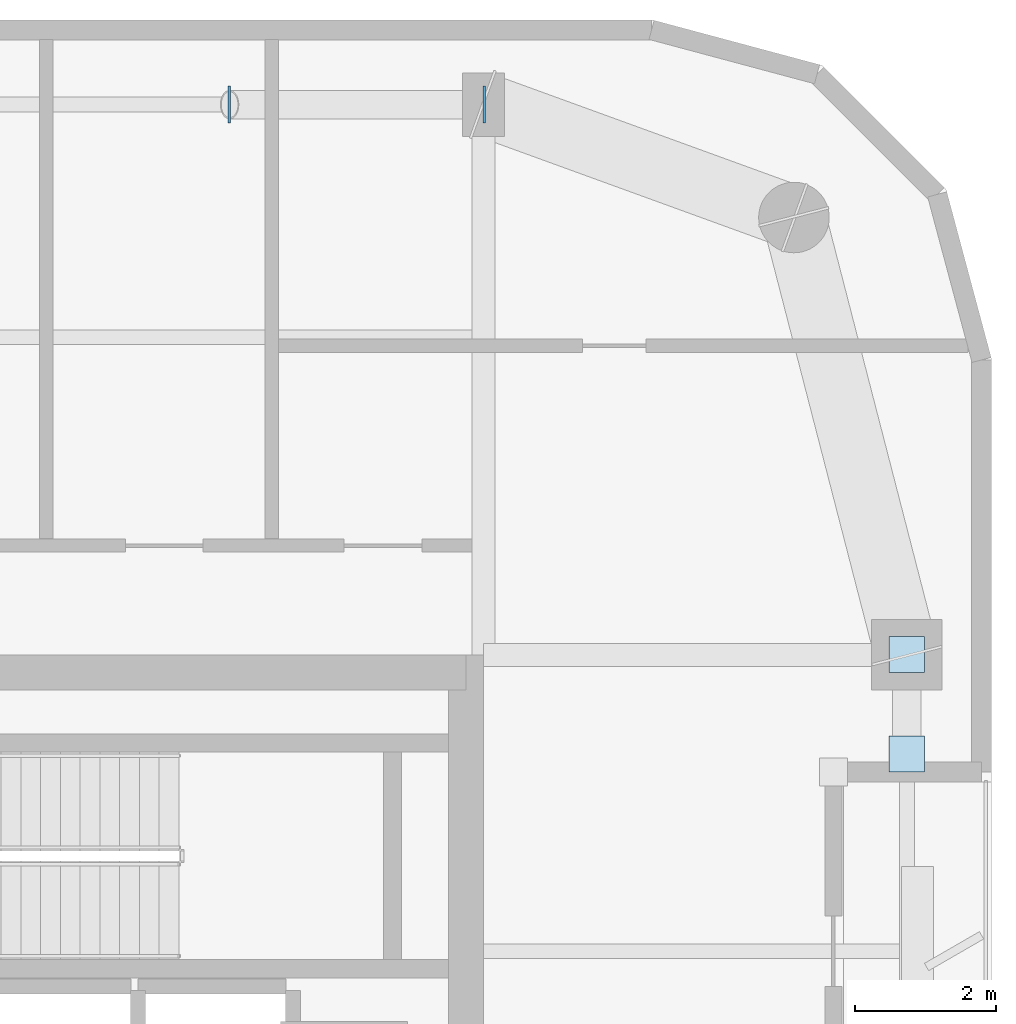
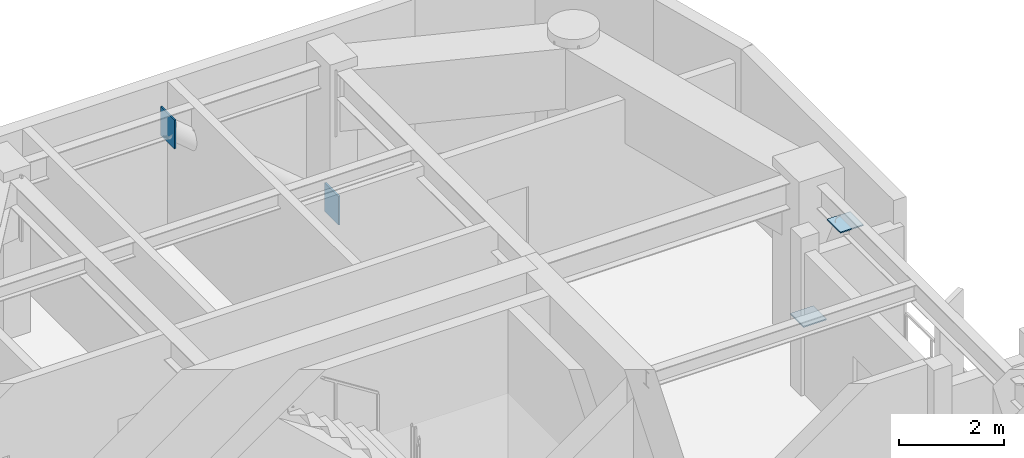
# One storey, part 9 of 16: 4 plates.
"""IFC4 building model written with IfcOpenShell, lengths in metres."""

from ifc_helpers import new_model, si_unit, direction, frame, origin, origin_2d, place, context, subcontext, project, spatial, rectangle, extrude, material, layer, layer_set, type_object, element, save


model = new_model("IFC4")

# Units and contexts
model_context = context("Model", 3, precision=1e-05, world=origin(), true_north=direction((0.0, 1.0)))
body_context = subcontext(model_context, "Body", "Model", "MODEL_VIEW")
ifc_project = project(units=[si_unit("LENGTHUNIT", "METRE"), si_unit("AREAUNIT", "SQUARE_METRE"), si_unit("VOLUMEUNIT", "CUBIC_METRE"), si_unit("PLANEANGLEUNIT", "RADIAN"), si_unit("MASSUNIT", "GRAM", prefix="KILO")], contexts=[model_context])

# Site, building, storey
site_placement = place(None, origin())
site = spatial("IfcSite", under=ifc_project, at=site_placement, CompositionType="ELEMENT")
building_placement = place(site_placement, origin())
building = spatial("IfcBuilding", under=site, at=building_placement, Name="Kiyonajd Concourse Tower", CompositionType="ELEMENT")
storey_placement = place(building_placement, frame((0.0, 0.0, 298.5)))
storey = spatial("IfcBuildingStorey", under=building, at=storey_placement, Name="L75", CompositionType="ELEMENT", Elevation=298.5)

# Plates
ifc_material = material(Name="Steel ASTM A572 Grade 50", Category="steel")
ifc_layer = layer(ifc_material, 0.028076171875)
ifc_layer_set = layer_set([ifc_layer], Name="Steel ASTM A572 Grade 50")
plate_type = type_object("IfcPlateType", Name="PL-CAP-450", PredefinedType="USERDEFINED", material=ifc_layer_set)
for number, where, z_axis, x_axis, name in (
    (1, (63.6083984375, 52.199951171875, -0.04248046875), (0.0, 0.0, 1.0), (1.0, 0.0, 0.0), "L75 Hollow Brace End Cap Plate PBN"),
    (2, (59.99169921875, 52.199951171875, 3.001708984375), (0.0, 0.0, 1.0), (-1.0, 0.0, 0.0), "L75 Hollow Brace Top Cap Plate PBN"),
):
    element("IfcPlate", number, at=place(storey_placement, frame(where, z_axis=z_axis, x_axis=x_axis)), inside=storey, type_object=plate_type, Name=name, ObjectType="CAP PLATE", PredefinedType="USERDEFINED", context=body_context, shape_type="SweptSolid", body=[
        extrude(rectangle(XDim=0.035888671875, YDim=0.52587890625, at=origin_2d()), origin(), (0.0, 0.0, 1.0), 0.6708984375),
    ])
for number, where, z_axis, x_axis, name in (
    (3, (69.60009765625, 44.404541015625, 0.27587890625), (0.0, 0.0, 1.0), (1.0, 0.0, 0.0), "L75 Hollow Brace End Cap Plate PBE"),
    (4, (69.60009765625, 42.995361328125, 3.326171875), (0.0, 0.0, 1.0), (1.0, 0.0, 0.0), "L75 Hollow Brace Top Cap Plate PBE"),
):
    element("IfcPlate", number, at=place(storey_placement, frame(where, z_axis=z_axis, x_axis=x_axis)), inside=storey, type_object=plate_type, Name=name, ObjectType="CAP PLATE", PredefinedType="USERDEFINED", context=body_context, shape_type="SweptSolid", body=[
        extrude(rectangle(XDim=0.506103515625, YDim=0.506103515625, at=origin_2d()), origin(), (0.0, 0.0, 1.0), 0.028076171875),
    ])

save(model, "model.ifc")
